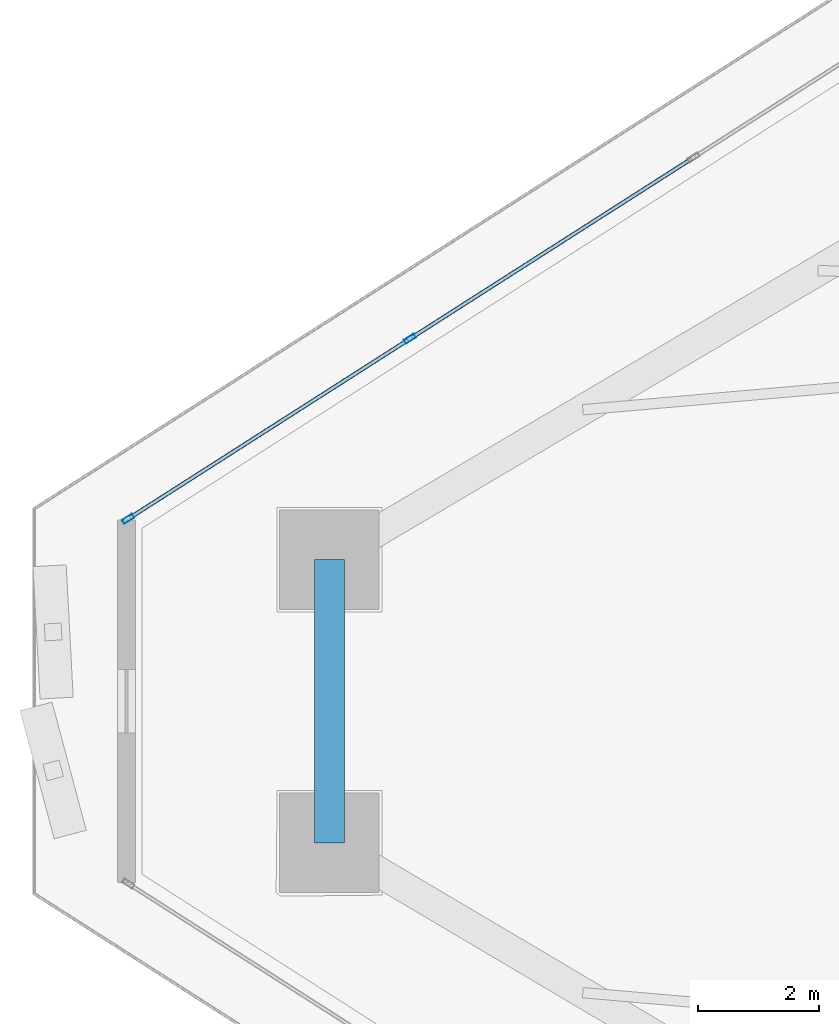
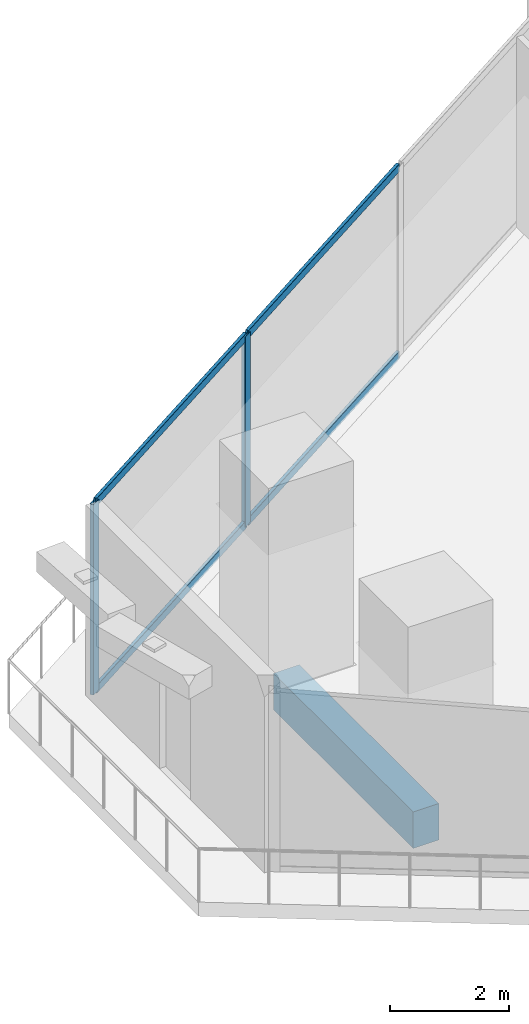
# One storey, part 8 of 34: 6 members, 1 beam, 1 element without a shape of its own.
"""IFC4 building model written with IfcOpenShell, lengths in metres."""

from ifc_helpers import new_model, si_unit, direction, frame, origin, origin_2d, place, context, subcontext, project, spatial, rectangle, hollow_rectangle, extrude, material, layer, layer_set, material_profile, profile_set, type_object, element, aggregate, save


model = new_model("IFC4")

# Units and contexts
model_context = context("Model", 3, precision=1e-05, world=origin(), true_north=direction((0.0, 1.0)))
body_context = subcontext(model_context, "Body", "Model", "MODEL_VIEW")
ifc_project = project(units=[si_unit("LENGTHUNIT", "METRE"), si_unit("AREAUNIT", "SQUARE_METRE"), si_unit("VOLUMEUNIT", "CUBIC_METRE"), si_unit("PLANEANGLEUNIT", "RADIAN"), si_unit("MASSUNIT", "GRAM", prefix="KILO")], contexts=[model_context])

# Site, building, storey
site_placement = place(None, origin())
site = spatial("IfcSite", under=ifc_project, at=site_placement, CompositionType="ELEMENT")
building_placement = place(site_placement, origin())
building = spatial("IfcBuilding", under=site, at=building_placement, Name="Qorvath Tower", CompositionType="ELEMENT")
storey_placement = place(building_placement, frame((0.0, 0.0, 268.199951171875)))
storey = spatial("IfcBuildingStorey", under=building, at=storey_placement, Name="L62", CompositionType="ELEMENT", Elevation=268.199951171875)

# Beam
ifc_material_1 = material(Name="Concrete C45/55", Category="concrete")
ifc_material_profile_1 = material_profile(ifc_material_1, rectangle(XDim=0.5, YDim=0.75, at=origin_2d()), Name="RCB 750x500")
ifc_profile_set_1 = profile_set([ifc_material_profile_1], Name="Concrete C45/55")
beam_type = type_object("IfcBeamType", Name="BM-RCB3", PredefinedType="SPANDREL", material=ifc_profile_set_1)
beam_placement = place(storey_placement, frame((-47.53759765625, 2.349609375, -0.6650390625), z_axis=(0.0, -1.0, 0.0), x_axis=(1.0, 0.0, 0.0)))
element("IfcBeam", 1, at=beam_placement, inside=storey, type_object=beam_type, Name="Perimeter Loggia Frame Beam MC1-MC2 L62", PredefinedType="SPANDREL", context=body_context, shape_type="SweptSolid", body=[
    extrude(rectangle(XDim=0.5, YDim=0.75, at=origin_2d()), origin(), (0.0, 0.0, 1.0), 4.69921875),
])

# Curtain wall, members
ifc_material_2 = material(Name="Anodised aluminium and triple low-E glass", Category="aluminium")
ifc_layer = layer(ifc_material_2, 0.179931640625)
ifc_layer_set = layer_set([ifc_layer], Name="CW-SYS-4")
curtain_wall_type = type_object("IfcCurtainWallType", Name="CW-SYS-4", PredefinedType="NOTDEFINED", material=ifc_layer_set)
curtain_wall_placement = place(storey_placement, origin())
curtain_wall = element("IfcCurtainWall", 2, at=curtain_wall_placement, inside=storey, type_object=curtain_wall_type, Name="Curtain Wall CW-4 CW-T-L62-16.1", PredefinedType="NOTDEFINED")
ifc_material_3 = material(Name="Anodised aluminium 6063-T6", Category="aluminium")
ifc_material_profile_2 = material_profile(ifc_material_3, hollow_rectangle(XDim=0.074951171875, YDim=0.199951171875, WallThickness=0.00390625, InnerFilletRadius=0.00390625, OuterFilletRadius=0.008056640625, at=origin_2d()), Name="CWM 200x75")
ifc_profile_set_2 = profile_set([ifc_material_profile_2], Name="Anodised aluminium 6063-T6")
member_type_1 = type_object("IfcMemberType", Name="CWM-200", PredefinedType="MULLION", material=ifc_profile_set_2)
member_1_placement = place(storey_placement, frame((-46.203125, 6.01171875, 0.0), z_axis=(0.0, 0.0, 1.0), x_axis=(0.538533509281, -0.842604094093, 0.0)))
member_1 = element("IfcMember", 3, at=member_1_placement, type_object=member_type_1, Name="CW-4 mullion 7", PredefinedType="MULLION", context=body_context, shape_type="SweptSolid", body=[
    extrude(hollow_rectangle(XDim=0.074951171875, YDim=0.199951171875, WallThickness=0.00390625, InnerFilletRadius=0.00390625, OuterFilletRadius=0.008056640625, at=origin_2d()), origin(), (0.0, 0.0, 1.0), 3.91015625),
])
member_2_placement = place(storey_placement, frame((-50.87451171875, 3.026123046875, 0.0), z_axis=(0.0, 0.0, 1.0), x_axis=(0.538533509281, -0.842604094093, 0.0)))
member_2 = element("IfcMember", 4, at=member_2_placement, type_object=member_type_1, Name="CW-4 mullion 8", PredefinedType="MULLION", context=body_context, shape_type="SweptSolid", body=[
    extrude(hollow_rectangle(XDim=0.074951171875, YDim=0.199951171875, WallThickness=0.00390625, InnerFilletRadius=0.00390625, OuterFilletRadius=0.008056640625, at=origin_2d()), origin(), (0.0, 0.0, 1.0), 3.91015625),
])
ifc_material_4 = material(Name="Anodised aluminium 6063-T6", Category="aluminium")
ifc_material_profile_3 = material_profile(ifc_material_4, hollow_rectangle(XDim=0.06494140625, YDim=0.159912109375, WallThickness=0.00341796875, InnerFilletRadius=0.00341796875, OuterFilletRadius=0.007080078125, at=origin_2d()), Name="CWT 160x65")
ifc_profile_set_3 = profile_set([ifc_material_profile_3], Name="Anodised aluminium 6063-T6")
member_type_2 = type_object("IfcMemberType", Name="CWT-160", PredefinedType="USERDEFINED", material=ifc_profile_set_3)
member_3_placement = place(storey_placement, frame((-41.531494140625, 8.99755859375, 0.032470703125), z_axis=(-0.842597346925, -0.538544065935, 0.0), x_axis=(0.538544065935, -0.842597346925, 0.0)))
member_3 = element("IfcMember", 5, at=member_3_placement, type_object=member_type_2, Name="CW-4 transom 6.1", ObjectType="TRANSOM", PredefinedType="USERDEFINED", context=body_context, shape_type="SweptSolid", body=[
    extrude(hollow_rectangle(XDim=0.06494140625, YDim=0.159912109375, WallThickness=0.00341796875, InnerFilletRadius=0.00341796875, OuterFilletRadius=0.007080078125, at=origin_2d()), origin(), (0.0, 0.0, 1.0), 5.506591796875),
])
member_4_placement = place(storey_placement, frame((-41.531494140625, 8.99755859375, 3.877685546875), z_axis=(-0.842597346925, -0.538544065935, 0.0), x_axis=(0.538544065935, -0.842597346925, 0.0)))
member_4 = element("IfcMember", 6, at=member_4_placement, type_object=member_type_2, Name="CW-4 transom 6.2", ObjectType="TRANSOM", PredefinedType="USERDEFINED", context=body_context, shape_type="SweptSolid", body=[
    extrude(hollow_rectangle(XDim=0.06494140625, YDim=0.159912109375, WallThickness=0.00341796875, InnerFilletRadius=0.00341796875, OuterFilletRadius=0.007080078125, at=origin_2d()), origin(), (0.0, 0.0, 1.0), 5.506591796875),
])
member_5_placement = place(storey_placement, frame((-46.234619140625, 5.99169921875, 0.032470703125), z_axis=(-0.842608486836, -0.538526636215, 0.0), x_axis=(0.538526636215, -0.842608486836, 0.0)))
member_5 = element("IfcMember", 7, at=member_5_placement, type_object=member_type_2, Name="CW-4 transom 7.1", ObjectType="TRANSOM", PredefinedType="USERDEFINED", context=body_context, shape_type="SweptSolid", body=[
    extrude(hollow_rectangle(XDim=0.06494140625, YDim=0.159912109375, WallThickness=0.00341796875, InnerFilletRadius=0.00341796875, OuterFilletRadius=0.007080078125, at=origin_2d()), origin(), (0.0, 0.0, 1.0), 5.46923828125),
])
member_6_placement = place(storey_placement, frame((-46.234619140625, 5.99169921875, 3.877685546875), z_axis=(-0.842608486836, -0.538526636215, 0.0), x_axis=(0.538526636215, -0.842608486836, 0.0)))
member_6 = element("IfcMember", 8, at=member_6_placement, type_object=member_type_2, Name="CW-4 transom 7.2", ObjectType="TRANSOM", PredefinedType="USERDEFINED", context=body_context, shape_type="SweptSolid", body=[
    extrude(hollow_rectangle(XDim=0.06494140625, YDim=0.159912109375, WallThickness=0.00341796875, InnerFilletRadius=0.00341796875, OuterFilletRadius=0.007080078125, at=origin_2d()), origin(), (0.0, 0.0, 1.0), 5.46923828125),
])
aggregate(curtain_wall, [member_1, member_2, member_3, member_4, member_5, member_6])

save(model, "model.ifc")
